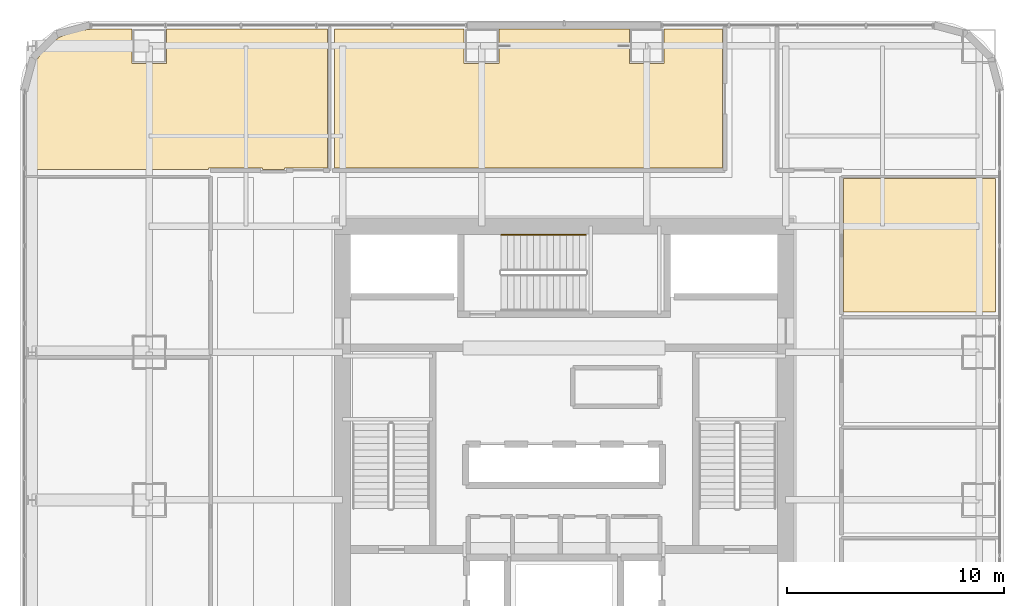
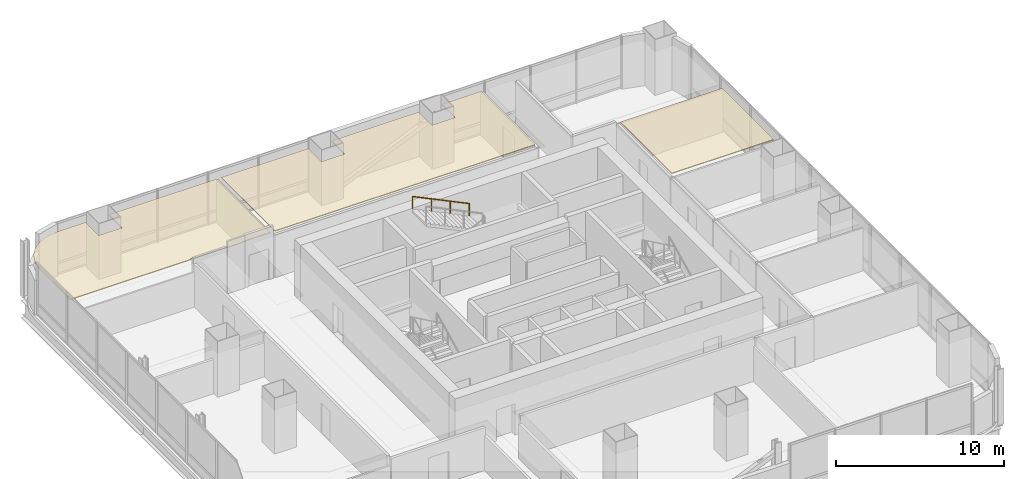
# One storey, part 35 of 37: 3 coverings, 1 railing.
"""IFC4 building model written with IfcOpenShell, lengths in metres."""

from ifc_helpers import new_model, si_unit, direction, frame, origin, origin_2d, place, context, subcontext, project, spatial, polyline, circle, outline, extrude, material, layer, layer_set, type_object, element, save


model = new_model("IFC4")

# Units and contexts
model_context = context("Model", 3, precision=1e-05, world=origin(), true_north=direction((0.0, 1.0)))
body_context = subcontext(model_context, "Body", "Model", "MODEL_VIEW")
ifc_project = project(units=[si_unit("LENGTHUNIT", "METRE"), si_unit("AREAUNIT", "SQUARE_METRE"), si_unit("VOLUMEUNIT", "CUBIC_METRE"), si_unit("PLANEANGLEUNIT", "RADIAN"), si_unit("MASSUNIT", "GRAM", prefix="KILO")], contexts=[model_context])

# Site, building, storey
site_placement = place(None, origin())
site = spatial("IfcSite", under=ifc_project, at=site_placement, CompositionType="ELEMENT")
building_placement = place(site_placement, origin())
building = spatial("IfcBuilding", under=site, at=building_placement, Name="Punatoya Terracotta Tower", CompositionType="ELEMENT")
storey_placement = place(building_placement, frame((0.0, 0.0, 44.39990234375)))
storey = spatial("IfcBuildingStorey", under=building, at=storey_placement, Name="L09", CompositionType="ELEMENT", Elevation=44.39990234375)

# Coverings
ifc_material_1 = material(Name="Acoustic Mineral Fibre Ceiling")
ifc_layer = layer(ifc_material_1, 0.06005859375)
ifc_layer_set = layer_set([ifc_layer], Name="Acoustic Mineral Fibre Ceiling")
covering_type = type_object("IfcCoveringType", Name="COV-CEIL-60", PredefinedType="CEILING", material=ifc_layer_set)
covering_1_placement = place(storey_placement, frame((0.0, 0.0, 3.2001953125)))
element("IfcCovering", 1, at=covering_1_placement, inside=storey, type_object=covering_type, Name="L09 Symposium Colloquium Room Acoustic Ceiling", PredefinedType="CEILING", context=body_context, shape_type="SweptSolid", body=[
    extrude(outline(polyline([(19.8701171875, 5.241943359375), (19.8701171875, 11.389892578125), (12.8701171875, 11.389892578125), (12.8701171875, 5.241943359375), (19.8701171875, 5.241943359375)])), origin(), (0.0, 0.0, 1.0), 0.059814453125),
])
covering_2_placement = place(storey_placement, frame((0.0, 0.0, 3.2001953125)))
element("IfcCovering", 2, at=covering_2_placement, inside=storey, type_object=covering_type, Name="L09 Open-Plan Roundtable Conference Room Acoustic Ceiling", PredefinedType="CEILING", context=body_context, shape_type="SweptSolid", body=[
    extrude(outline(polyline([(-23.25830078125, 17.889404296875), (-23.841796875, 17.441650390625), (-24.289306640625, 16.8583984375), (-24.57080078125, 16.178955078125), (-24.669921875, 15.425048828125), (-24.669921875, 11.81005859375), (-16.3701171875, 11.81005859375), (-16.3701171875, 11.8701171875), (-13.8798828125, 11.8701171875), (-13.8798828125, 11.81005859375), (-12.8701171875, 11.81005859375), (-12.8701171875, 11.8701171875), (-10.89404296875, 11.8701171875), (-10.89404296875, 18.27001953125), (-18.300048828125, 18.27001953125), (-18.300048828125, 16.699951171875), (-19.89990234375, 16.699951171875), (-19.89990234375, 18.27001953125), (-21.8251953125, 18.27001953125), (-22.5791015625, 18.1708984375), (-23.25830078125, 17.889404296875)])), origin(), (0.0, 0.0, 1.0), 0.059814453125),
])
covering_3_placement = place(storey_placement, frame((0.0, 0.0, 3.2001953125)))
element("IfcCovering", 3, at=covering_3_placement, inside=storey, type_object=covering_type, Name="L09 Open-Plan Plenary Seminar Room Acoustic Ceiling", PredefinedType="CEILING", context=body_context, shape_type="SweptSolid", body=[
    extrude(outline(polyline([(3.0, 18.27001953125), (-3.0, 18.27001953125), (-3.0, 16.699951171875), (-4.60009765625, 16.699951171875), (-4.60009765625, 18.27001953125), (-10.573974609375, 18.27001953125), (-10.573974609375, 11.8701171875), (7.300048828125, 11.8701171875), (7.300048828125, 18.27001953125), (4.60009765625, 18.27001953125), (4.60009765625, 16.699951171875), (3.0, 16.699951171875), (3.0, 18.27001953125)])), origin(), (0.0, 0.0, 1.0), 0.059814453125),
])

# Railing
ifc_material_2 = material(Name="Steel S355", Category="steel")
railing_type = type_object("IfcRailingType", Name="RLG-HND-900", PredefinedType="HANDRAIL", material=ifc_material_2)
railing_placement = place(storey_placement, frame((1.0, 8.800048828125, 2.169677734375)))
element("IfcRailing", 4, at=railing_placement, inside=storey, type_object=railing_type, Name="L09 ST-3 stair handrail 2", PredefinedType="HANDRAIL", context=body_context, shape_type="SweptSolid", body=[
    extrude(circle(Radius=0.02392578125, at=origin_2d()), frame((0.0, 0.0, 0.8759765625), z_axis=(-0.900763166376, 0.0, 0.434310623978), x_axis=(0.0, -1.0, 0.0)), (0.0, 0.0, 1.0), 4.32958984375),
    extrude(circle(Radius=0.02099609375, at=origin_2d()), origin(), (0.0, 0.0, 1.0), 0.851806640625),
    extrude(circle(Radius=0.02099609375, at=origin_2d()), frame((-1.300048828125, 0.0, 0.626708984375)), (0.0, 0.0, 1.0), 0.851806640625),
    extrude(circle(Radius=0.02099609375, at=origin_2d()), frame((-2.599853515625, 0.0, 1.253662109375)), (0.0, 0.0, 1.0), 0.851806640625),
    extrude(circle(Radius=0.02099609375, at=origin_2d()), frame((-3.89990234375, 0.0, 1.88037109375)), (0.0, 0.0, 1.0), 0.851806640625),
])

save(model, "model.ifc")
